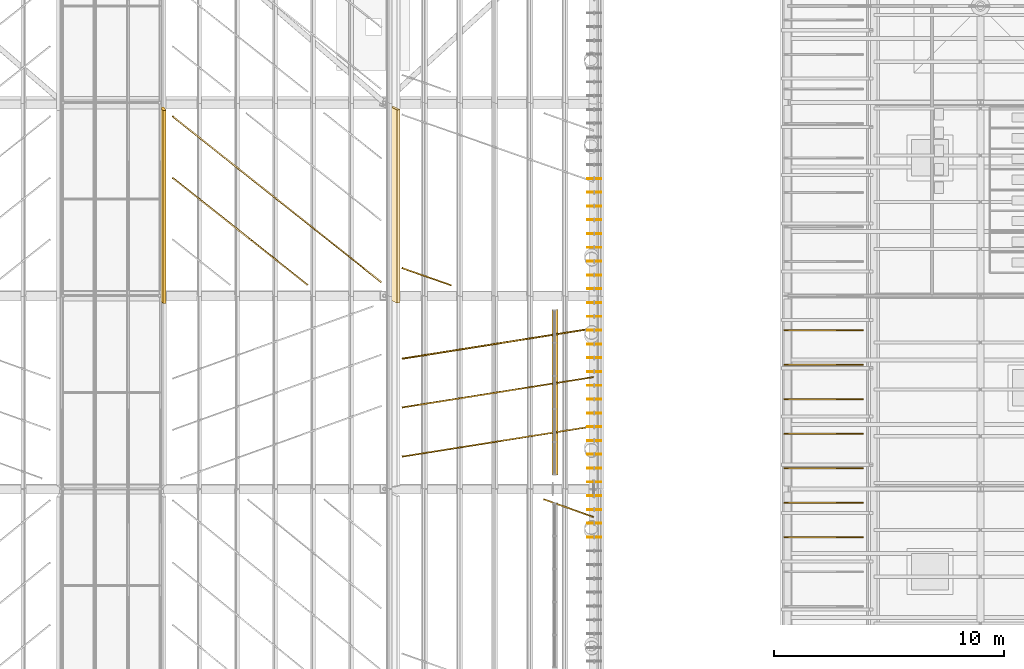
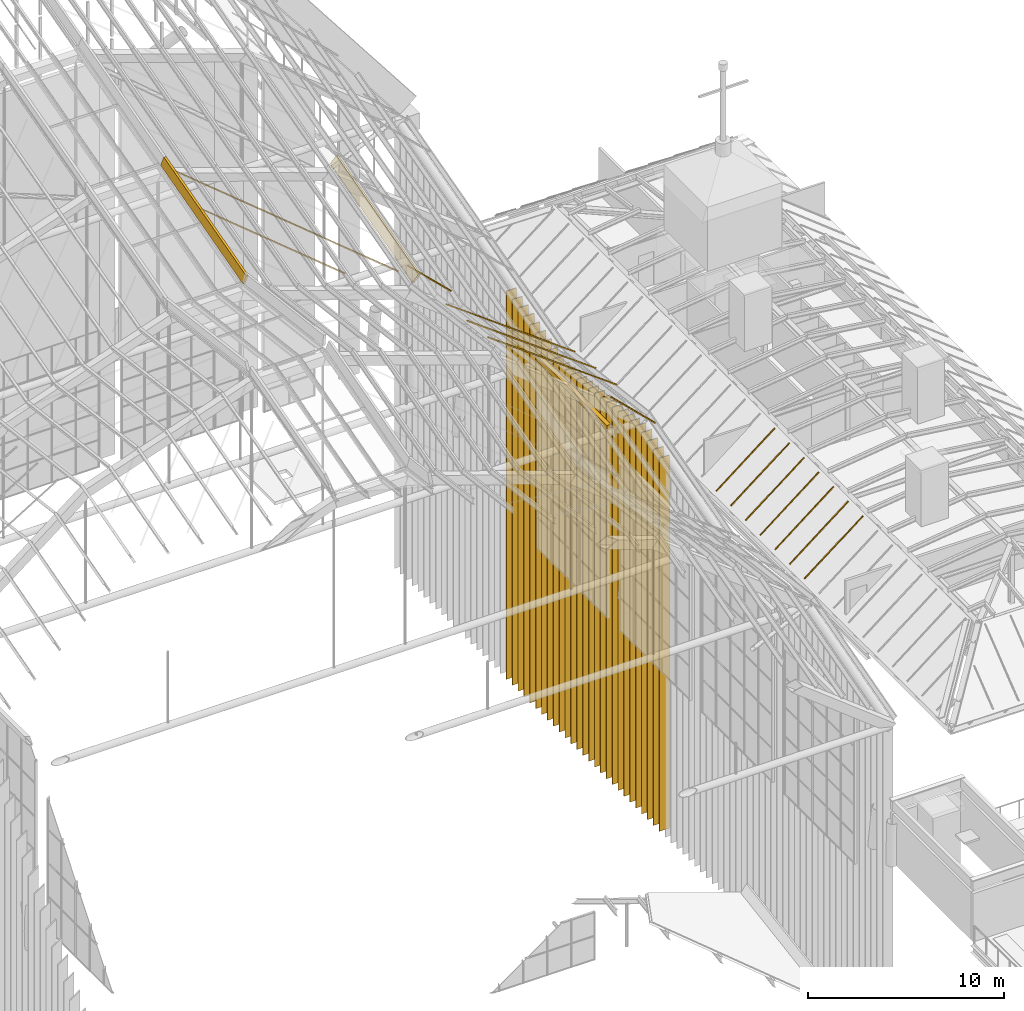
# One storey, part 107 of 126: 27 shading devices, 17 coverings.
"""IFC4 building model written with IfcOpenShell, lengths in metres."""

import ifcopenshell
import ifcopenshell.guid

model = None  # the IFC model being written
_history = None  # IfcOwnerHistory: only IFC2X3 demands one
_inside = {}  # id of a spatial element -> (the spatial element, [elements in it])
_under = {}  # id of a project, library or spatial element -> (it, [spatial elements below it])
_declared = {}  # id of a project -> (the project, [libraries it declares])
_typed = {}  # id of a type object -> (the type object, [elements of that type])
_made_of = {}  # id of a material, layer set ... -> (it, [elements and type objects made of it])


def new_model(schema):
    """Start an empty IFC model of exactly this schema.

    Asked for "IFC4X3", IfcOpenShell would pick the latest addendum, in which some entities
    have other attributes; the version numbers below select the first issue.
    IFC2X3 requires an IfcOwnerHistory on every rooted entity: one is made here for all.
    """
    global model, _history
    if schema == "IFC4X3":
        model = ifcopenshell.file(schema_version=(4, 3, 0, 0))
    else:
        model = ifcopenshell.file(schema=schema)
    _inside.clear()
    _under.clear()
    _declared.clear()
    _typed.clear()
    _made_of.clear()
    _history = None
    if model.schema == "IFC2X3":
        org = make("IfcOrganization", Name="unknown")
        user = make(
            "IfcPersonAndOrganization",
            ThePerson=make("IfcPerson", FamilyName="unknown"),
            TheOrganization=org,
        )
        app = make(
            "IfcApplication",
            ApplicationDeveloper=org,
            Version="unknown",
            ApplicationFullName="unknown",
            ApplicationIdentifier="unknown",
        )
        _history = make(
            "IfcOwnerHistory",
            OwningUser=user,
            OwningApplication=app,
            ChangeAction="ADDED",
            CreationDate=0,
        )
    return model


def make(cls, **values):
    """One entity of the class cls with the attributes given. An attribute that is None is left unset."""
    return model.create_entity(
        cls, **{name: value for name, value in values.items() if value is not None}
    )


def rooted(cls, **values):
    """An entity with a GlobalId (a new one), such as an element, a storey or a relation."""
    return make(cls, GlobalId=ifcopenshell.guid.new(), OwnerHistory=_history, **values)


def si_unit(unit_type, name, prefix=None):
    """IfcSIUnit, for example si_unit("LENGTHUNIT", "METRE", prefix="MILLI")."""
    return make("IfcSIUnit", UnitType=unit_type, Prefix=prefix, Name=name)


def assignment(units):
    """IfcUnitAssignment: the units of a project."""
    return None if units is None else make("IfcUnitAssignment", Units=units)


def point(xyz):
    """IfcCartesianPoint."""
    return None if xyz is None else make("IfcCartesianPoint", Coordinates=xyz)


def direction(xyz):
    """IfcDirection."""
    return None if xyz is None else make("IfcDirection", DirectionRatios=xyz)


def frame(location, z_axis=None, x_axis=None):
    """IfcAxis2Placement3D, a coordinate frame: its origin and axes. An axis left out is left unset."""
    return make(
        "IfcAxis2Placement3D",
        Location=point(location),
        Axis=direction(z_axis),
        RefDirection=direction(x_axis),
    )


def frame_2d(location, x_axis=None):
    """IfcAxis2Placement2D, a coordinate frame in the plane: its origin and x axis."""
    return make(
        "IfcAxis2Placement2D", Location=point(location), RefDirection=direction(x_axis)
    )


def origin():
    """The frame at (0, 0, 0) with its axes left unset."""
    return frame((0.0, 0.0, 0.0))


def origin_2d():
    """The frame at (0, 0) in the plane with its x axis left unset."""
    return frame_2d((0.0, 0.0))


def place(relative_to, where):
    """IfcLocalPlacement: puts the frame where relative to a parent placement (None: the world)."""
    return make(
        "IfcLocalPlacement", PlacementRelTo=relative_to, RelativePlacement=where
    )


def context(
    kind, dimensions, precision=None, world=None, true_north=None, identifier=None
):
    """IfcGeometricRepresentationContext, for example the 3D "Model" context."""
    return make(
        "IfcGeometricRepresentationContext",
        ContextIdentifier=identifier,
        ContextType=kind,
        CoordinateSpaceDimension=dimensions,
        Precision=precision,
        WorldCoordinateSystem=world,
        TrueNorth=true_north,
    )


def subcontext(parent, identifier, kind, view, scale=None):
    """IfcGeometricRepresentationSubContext, for example "Body" below "Model"."""
    return make(
        "IfcGeometricRepresentationSubContext",
        ContextIdentifier=identifier,
        ContextType=kind,
        ParentContext=parent,
        TargetScale=scale,
        TargetView=view,
    )


def project(units=None, contexts=None):
    """IfcProject with its units and contexts."""
    return rooted(
        "IfcProject",
        Name="project",
        RepresentationContexts=contexts,
        UnitsInContext=assignment(units),
    )


def spatial(cls, under=None, at=None, **own):
    """A site, building, storey or space (cls), placed at a placement, below another one or the project."""
    s = rooted(cls, ObjectPlacement=at, **own)
    if under is not None:
        _under.setdefault(under.id(), (under, []))[1].append(s)
    return s


def polyline(points):
    """IfcPolyline through the points."""
    return make("IfcPolyline", Points=[point(p) for p in points])


def profile(cls, at=None, kind="AREA", **sizes):
    """A parametric profile (cls). Its sizes go by their IFC names, for example OverallWidth=200.0."""
    return make(cls, ProfileType=kind, Position=at, **sizes)


def rectangle(**sizes):
    """IfcRectangleProfileDef."""
    return profile("IfcRectangleProfileDef", **sizes)


def outline(outer, holes=None, kind="AREA"):
    """IfcArbitraryClosedProfileDef: a profile drawn as a closed curve; with holes, ...WithVoids."""
    if holes is None:
        return make("IfcArbitraryClosedProfileDef", ProfileType=kind, OuterCurve=outer)
    return make(
        "IfcArbitraryProfileDefWithVoids",
        ProfileType=kind,
        OuterCurve=outer,
        InnerCurves=holes,
    )


def extrude(swept, where, along, depth):
    """IfcExtrudedAreaSolid: the profile swept, set in the frame where, extruded along a direction by depth."""
    return make(
        "IfcExtrudedAreaSolid",
        SweptArea=swept,
        Position=where,
        ExtrudedDirection=direction(along),
        Depth=depth,
    )


def shape(context_of_items, identifier, shape_type, items):
    """IfcShapeRepresentation: the items that make up one representation, for example the "Body"."""
    return make(
        "IfcShapeRepresentation",
        ContextOfItems=context_of_items,
        RepresentationIdentifier=identifier,
        RepresentationType=shape_type,
        Items=items,
    )


def material(Name=None, Category=None):
    """IfcMaterial."""
    return make("IfcMaterial", Name=Name, Category=Category)


def layer(
    of_material, thickness, ventilated=None, Name=None, Category=None, Priority=None
):
    """IfcMaterialLayer: one layer of a wall or slab, of a material (None: an air gap)."""
    return make(
        "IfcMaterialLayer",
        Material=of_material,
        LayerThickness=thickness,
        IsVentilated=ventilated,
        Name=Name,
        Category=Category,
        Priority=Priority,
    )


def layer_set(layers, Name=None):
    """IfcMaterialLayerSet."""
    return make("IfcMaterialLayerSet", MaterialLayers=layers, LayerSetName=Name)


def material_profile(
    of_material, cross_section, Name=None, Category=None, Priority=None
):
    """IfcMaterialProfile: a cross section and its material."""
    return make(
        "IfcMaterialProfile",
        Name=Name,
        Material=of_material,
        Profile=cross_section,
        Priority=Priority,
        Category=Category,
    )


def profile_set(profiles, Name=None, composite=None):
    """IfcMaterialProfileSet."""
    return make(
        "IfcMaterialProfileSet",
        Name=Name,
        MaterialProfiles=profiles,
        CompositeProfile=composite,
    )


def made_of(thing, what):
    """Note that an element or type object is made of a material, layer set ...; save() writes the relation."""
    if what is not None:
        _made_of.setdefault(what.id(), (what, []))[1].append(thing)
    return thing


def type_object(cls, material=None, **own):
    """A type object (cls), such as IfcWallType, which elements share."""
    return made_of(rooted(cls, **own), material)


def element(
    cls,
    number,
    at=None,
    inside=None,
    cuts=None,
    type_object=None,
    material=None,
    context=None,
    identifier="Body",
    shape_type=None,
    held_by="IfcProductDefinitionShape",
    body=None,
    shapes=None,
    **own,
):
    """One element of the class cls, such as IfcWall. Its Tag is "e" and its number.

    at: its placement. inside: the storey or other place that contains it. cuts: it is an
    opening in that element (IfcRelVoidsElement). A single representation is given by context,
    identifier, shape_type and body (its items); several are given by shapes. held_by: the class
    of the entity that holds the representations. save() writes the other relations.
    """
    e = rooted(cls, Tag="e%d" % number, ObjectPlacement=at, **own)
    if body is not None:
        shapes = [shape(context, identifier, shape_type, body)]
    if shapes is not None:
        e.Representation = make(held_by, Representations=shapes)
    if inside is not None:
        _inside.setdefault(inside.id(), (inside, []))[1].append(e)
    if cuts is not None:
        rooted(
            "IfcRelVoidsElement", RelatingBuildingElement=cuts, RelatedOpeningElement=e
        )
    if type_object is not None:
        _typed.setdefault(type_object.id(), (type_object, []))[1].append(e)
    return made_of(e, material)


def aggregate(whole, parts):
    """IfcRelAggregates: a whole, such as a stair, and the parts it consists of."""
    return rooted("IfcRelAggregates", RelatingObject=whole, RelatedObjects=parts)


def save(model, path):
    """Write the relations noted so far, then the file.

    IfcRelAggregates (storeys below a building ...), IfcRelContainedInSpatialStructure (elements
    in a storey), IfcRelDefinesByType, IfcRelAssociatesMaterial and IfcRelDeclares: one each for
    every whole, place, type object, material and project.
    """
    for whole, parts in _under.values():
        aggregate(whole, parts)
    for where, things in _inside.values():
        rooted(
            "IfcRelContainedInSpatialStructure",
            RelatedElements=things,
            RelatingStructure=where,
        )
    for kind, things in _typed.values():
        rooted("IfcRelDefinesByType", RelatedObjects=things, RelatingType=kind)
    for what, things in _made_of.values():
        rooted("IfcRelAssociatesMaterial", RelatedObjects=things, RelatingMaterial=what)
    for by, libraries in _declared.values():
        rooted("IfcRelDeclares", RelatingContext=by, RelatedDefinitions=libraries)
    model.write(path)


model = new_model("IFC4")

# Units and contexts
model_context = context("Model", 3, precision=1e-05, world=origin(), true_north=direction((0.0, 1.0)))
body_context = subcontext(model_context, "Body", "Model", "MODEL_VIEW")
ifc_project = project(units=[si_unit("LENGTHUNIT", "METRE"), si_unit("AREAUNIT", "SQUARE_METRE"), si_unit("VOLUMEUNIT", "CUBIC_METRE"), si_unit("PLANEANGLEUNIT", "RADIAN"), si_unit("MASSUNIT", "GRAM", prefix="KILO")], contexts=[model_context])

# Site, building, storey
site_placement = place(None, origin())
site = spatial("IfcSite", under=ifc_project, at=site_placement, CompositionType="ELEMENT")
building_placement = place(site_placement, origin())
building = spatial("IfcBuilding", under=site, at=building_placement, Name="Sava Quay Ferry Terminal", CompositionType="ELEMENT")
storey_placement = place(building_placement, frame((0.0, 0.0, 15.0)))
storey = spatial("IfcBuildingStorey", under=building, at=storey_placement, Name="L03", CompositionType="ELEMENT", Elevation=15.0)

# Coverings
ifc_material_1 = material(Name="Copper patinated")
ifc_layer_1 = layer(ifc_material_1, 0.25)
ifc_layer_set_1 = layer_set([ifc_layer_1], Name="Copper patinated")
covering_type_1 = type_object("IfcCoveringType", Name="Copper spandrel panel 250", PredefinedType="CLADDING", material=ifc_layer_set_1)
covering_1_placement = place(storey_placement, frame((82.300048828125, 76.199951171875, 11.75), z_axis=(0.0, 0.0, 1.0), x_axis=(0.0, 1.0, 0.0)))
element("IfcCovering", 1, at=covering_1_placement, inside=storey, type_object=covering_type_1, Name="Spandrel panel D-E", PredefinedType="CLADDING", context=body_context, shape_type="SweptSolid", body=[
    extrude(outline(polyline([(0.0, 0.0), (7.199951171875, 0.0), (7.199951171875, 0.302734375), (0.0, 0.302734375), (0.0, 0.0)])), frame((0.0, 0.125, 0.0), z_axis=(0.0, -1.0, 0.0), x_axis=(1.0, 0.0, 0.0)), (0.0, 0.0, 1.0), 0.25),
])
ifc_material_2 = material(Name="Steel S355", Category="steel")
ifc_material_profile_1 = material_profile(ifc_material_2, rectangle(XDim=0.14990234375, YDim=0.60009765625, at=origin_2d()), Name="Cap 150 x 600")
ifc_profile_set_1 = profile_set([ifc_material_profile_1], Name="Steel S355")
covering_type_2 = type_object("IfcCoveringType", Name="Crease capping 150x600", PredefinedType="MOLDING", material=ifc_profile_set_1)
covering_2_placement = place(storey_placement, frame((65.262451171875, 83.735107421875, 22.49462890625), z_axis=(0.0, 0.964553254836, 0.263888269132), x_axis=(-0.987174546341, -0.042128351011, 0.153985769138)))
element("IfcCovering", 2, at=covering_2_placement, inside=storey, type_object=covering_type_2, Name="Departure hall crease capping bay 5 crease 3", PredefinedType="MOLDING", context=body_context, shape_type="SweptSolid", body=[
    extrude(rectangle(XDim=0.14990234375, YDim=0.60009765625, at=origin_2d()), origin(), (0.0, 0.0, 1.0), 8.70849609375),
])
covering_3_placement = place(storey_placement, frame((75.3427734375, 83.76220703125, 19.031005859375), z_axis=(0.0, 0.964555206992, 0.26388113359), x_axis=(-0.885499005285, -0.122610065566, 0.448172158284)))
element("IfcCovering", 3, at=covering_3_placement, inside=storey, type_object=covering_type_2, Name="Departure hall crease capping bay 5 crease 4", PredefinedType="MOLDING", context=body_context, shape_type="SweptSolid", body=[
    extrude(rectangle(XDim=0.14990234375, YDim=0.60009765625, at=origin_2d()), origin(), (0.0, 0.0, 1.0), 8.708740234375),
])
ifc_material_3 = material(Name="Zinc standing seam")
ifc_layer_2 = layer(ifc_material_3, 0.0400390625)
ifc_layer_set_2 = layer_set([ifc_layer_2], Name="Zinc standing seam")
covering_type_3 = type_object("IfcCoveringType", Name="Roof seam rib 60", PredefinedType="ROOFING", material=ifc_layer_set_2)
for number, where, z_axis, x_axis, name in (
    (4, (92.246337890625, 73.530029296875, 0.635986328125), (-0.6177895076, 0.0, 0.786343515456), (0.786343515456, 0.0, 0.6177895076), "Roof seam rib"),
    (5, (92.246337890625, 75.030029296875, 0.635986328125), (-0.6177895076, 0.0, 0.786343515456), (0.786343515456, 0.0, 0.6177895076), "Roof seam rib"),
    (6, (92.246337890625, 76.530029296875, 0.635986328125), (-0.6177895076, 0.0, 0.786343515456), (0.786343515456, 0.0, 0.6177895076), "Roof seam rib"),
    (7, (92.246337890625, 78.030029296875, 0.635986328125), (-0.6177895076, 0.0, 0.786343515456), (0.786343515456, 0.0, 0.6177895076), "Roof seam rib"),
    (8, (92.246337890625, 79.530029296875, 0.635986328125), (-0.6177895076, 0.0, 0.786343515456), (0.786343515456, 0.0, 0.6177895076), "Roof seam rib"),
    (9, (92.246337890625, 81.030029296875, 0.635986328125), (-0.6177895076, 0.0, 0.786343515456), (0.786343515456, 0.0, 0.6177895076), "Roof seam rib"),
    (10, (92.246337890625, 82.530029296875, 0.635986328125), (-0.6177895076, 0.0, 0.786343515456), (0.786343515456, 0.0, 0.6177895076), "Roof seam rib"),
):
    element("IfcCovering", number, at=place(storey_placement, frame(where, z_axis=z_axis, x_axis=x_axis)), inside=storey, type_object=covering_type_3, Name=name, PredefinedType="ROOFING", context=body_context, shape_type="SweptSolid", body=[
        extrude(outline(polyline([(0.0, 0.0), (4.374293420136924, 0.0), (4.374293420136924, -0.06005859375), (0.0, -0.06005859375), (0.0, 0.0)])), origin(), (0.0, 0.0, -1.0), 0.0400390625),
    ])
covering_4_placement = place(storey_placement, frame((83.958740234375, 74.3427734375, 12.72509765625), z_axis=(0.60113236674, -0.215991283288, 0.769407332433), x_axis=(-0.724124379374, 0.26006063106, 0.638758445242)))
element("IfcCovering", 11, at=covering_4_placement, inside=storey, type_object=covering_type_3, Name="Roof seam rib", PredefinedType="ROOFING", context=body_context, shape_type="SweptSolid", body=[
    extrude(outline(polyline([(0.0, 0.0), (2.9571679712332175, -8.649222831003112e-17), (2.9571610577290284, -0.059926453256644224), (-6.913504189427072e-06, -0.059926453256644044), (0.0, 0.0)])), origin(), (0.0, 0.0, -1.0), 0.0400390625),
])
covering_5_placement = place(storey_placement, frame((83.98193359375, 82.55615234375, 12.1787109375), z_axis=(0.612740013981, 0.097280373354, 0.78427431695), x_axis=(-0.774575165563, -0.122961445897, 0.620414213019)))
element("IfcCovering", 12, at=covering_5_placement, inside=storey, type_object=covering_type_3, Name="Roof seam rib", PredefinedType="ROOFING", context=body_context, shape_type="SweptSolid", body=[
    extrude(outline(polyline([(0.0, 0.0), (10.725650837335074, 2.445960101127298e-16), (10.725572025417193, -0.059805897310758006), (8.027346289935476e-05, -0.06008529712831821), (0.0, 0.0)])), origin(), (0.0, 0.0, -1.0), 0.0400390625),
])
covering_6_placement = place(storey_placement, frame((83.98193359375, 80.429931640625, 12.4423828125), z_axis=(0.612770145315, 0.097084981871, 0.784274987046), x_axis=(-0.774572318597, -0.122983757584, 0.620413344983)))
element("IfcCovering", 13, at=covering_6_placement, inside=storey, type_object=covering_type_3, Name="Roof seam rib", PredefinedType="ROOFING", context=body_context, shape_type="SweptSolid", body=[
    extrude(outline(polyline([(0.0, 0.0), (10.725680860018976, -1.194790794079026e-16), (10.725570678137547, -0.060047031909617694), (7.892268854086965e-05, -0.06008528530396266), (0.0, 0.0)])), origin(), (0.0, 0.0, -1.0), 0.0400390625),
])
covering_7_placement = place(storey_placement, frame((83.98193359375, 78.3037109375, 12.7060546875), z_axis=(0.612708018485, 0.097476275668, 0.78427498989), x_axis=(-0.774572319464, -0.122983754925, 0.620413344429)))
element("IfcCovering", 14, at=covering_7_placement, inside=storey, type_object=covering_type_3, Name="Roof seam rib", PredefinedType="ROOFING", context=body_context, shape_type="SweptSolid", body=[
    extrude(outline(polyline([(0.0, 0.0), (10.725680860019029, 1.2923689896027213e-16), (10.725600703634235, -0.059805881856001976), (0.00010894818538894225, -0.059844194518438414), (0.0, 0.0)])), origin(), (0.0, 0.0, -1.0), 0.0400390625),
])
covering_8_placement = place(storey_placement, frame((74.726318359375, 84.5732421875, 19.187744140625), z_axis=(0.315555588115, -0.249985595779, 0.915386187744), x_axis=(-0.716723503035, 0.569420368719, 0.402576531712)))
element("IfcCovering", 15, at=covering_8_placement, inside=storey, type_object=covering_type_3, Name="Roof seam rib", PredefinedType="ROOFING", context=body_context, shape_type="SweptSolid", body=[
    extrude(outline(polyline([(0.0, 0.0), (12.655924100562697, -4.948298715223842e-16), (12.65598255642172, -0.06012898686683293), (9.441853829839433e-05, -0.0597859712555031), (0.0, 0.0)])), origin(), (0.0, 0.0, -1.0), 0.0400390625),
])
covering_9_placement = place(storey_placement, frame((71.5224609375, 84.4365234375, 20.253662109375), z_axis=(0.315135144881, -0.250471050217, 0.915398325028), x_axis=(-0.716734025922, 0.5694264089, 0.402549252804)))
element("IfcCovering", 16, at=covering_9_placement, inside=storey, type_object=covering_type_3, Name="Roof seam rib", PredefinedType="ROOFING", context=body_context, shape_type="SweptSolid", body=[
    extrude(outline(polyline([(0.0, 0.0), (8.185676670103314, -1.6132928326584306e-16), (8.185735017503617, -0.06012897973133285), (-8.067271905740428e-05, -0.059937828719632824), (0.0, 0.0)])), origin(), (0.0, 0.0, -1.0), 0.0400390625),
])
covering_10_placement = place(storey_placement, frame((77.778076171875, 84.431640625, 16.981689453125), z_axis=(0.602037155286, -0.210194006802, 0.770304967633), x_axis=(-0.727018544127, 0.254585912604, 0.637675504939)))
element("IfcCovering", 17, at=covering_10_placement, inside=storey, type_object=covering_type_3, Name="Roof seam rib", PredefinedType="ROOFING", context=body_context, shape_type="SweptSolid", body=[
    extrude(outline(polyline([(0.0, 0.0), (2.9239039898587773, -1.919037845299343e-17), (2.9239468193631346, -0.05999353832201872), (4.2829504356996576e-05, -0.05999353832201865), (0.0, 0.0)])), origin(), (0.0, 0.0, -1.0), 0.0400390625),
])

# Shading devices
ifc_material_4 = material(Name="Aluminium bronze anodised", Category="aluminium")
ifc_material_profile_2 = material_profile(ifc_material_4, rectangle(XDim=0.0400390625, YDim=0.60009765625, at=origin_2d()), Name="Vertical brise-soleil blade 40x600")
ifc_profile_set_2 = profile_set([ifc_material_profile_2], Name="Aluminium bronze anodised")
shading_device_type = type_object("IfcShadingDeviceType", Name="Vertical brise-soleil blade 40x600", PredefinedType="USERDEFINED", material=ifc_profile_set_2)
shading_device_1_placement = place(storey_placement, frame((84.0, 73.5, -12.10009765625), z_axis=(0.0, 0.0, 1.0), x_axis=(0.0, 1.0, 0.0)))
element("IfcShadingDevice", 18, at=shading_device_1_placement, inside=storey, type_object=shading_device_type, Name="Brise-soleil blade D-E 39", ObjectType="BRISE-SOLEIL BLADE", PredefinedType="USERDEFINED", context=body_context, shape_type="SweptSolid", body=[
    extrude(rectangle(XDim=0.0400390625, YDim=0.60009765625, at=origin_2d()), origin(), (0.0, 0.0, 1.0), 23.2333984375),
])
shading_device_2_placement = place(storey_placement, frame((84.0, 74.10009765625, -12.10009765625), z_axis=(0.0, 0.0, 1.0), x_axis=(0.0, 1.0, 0.0)))
element("IfcShadingDevice", 19, at=shading_device_2_placement, inside=storey, type_object=shading_device_type, Name="Brise-soleil blade D-E 40", ObjectType="BRISE-SOLEIL BLADE", PredefinedType="USERDEFINED", context=body_context, shape_type="SweptSolid", body=[
    extrude(rectangle(XDim=0.0400390625, YDim=0.60009765625, at=origin_2d()), origin(), (0.0, 0.0, 1.0), 23.401611328125),
])
shading_device_3_placement = place(storey_placement, frame((84.0, 74.699951171875, -12.10009765625), z_axis=(0.0, 0.0, 1.0), x_axis=(0.0, 1.0, 0.0)))
element("IfcShadingDevice", 20, at=shading_device_3_placement, inside=storey, type_object=shading_device_type, Name="Brise-soleil blade D-E 41", ObjectType="BRISE-SOLEIL BLADE", PredefinedType="USERDEFINED", context=body_context, shape_type="SweptSolid", body=[
    extrude(rectangle(XDim=0.0400390625, YDim=0.60009765625, at=origin_2d()), origin(), (0.0, 0.0, 1.0), 23.570068359375),
])
shading_device_4_placement = place(storey_placement, frame((84.0, 75.300048828125, -12.10009765625), z_axis=(0.0, 0.0, 1.0), x_axis=(0.0, 1.0, 0.0)))
element("IfcShadingDevice", 21, at=shading_device_4_placement, inside=storey, type_object=shading_device_type, Name="Brise-soleil blade D-E 42", ObjectType="BRISE-SOLEIL BLADE", PredefinedType="USERDEFINED", context=body_context, shape_type="SweptSolid", body=[
    extrude(rectangle(XDim=0.0400390625, YDim=0.60009765625, at=origin_2d()), origin(), (0.0, 0.0, 1.0), 23.738525390625),
])
shading_device_5_placement = place(storey_placement, frame((84.0, 75.89990234375, -12.10009765625), z_axis=(0.0, 0.0, 1.0), x_axis=(0.0, 1.0, 0.0)))
element("IfcShadingDevice", 22, at=shading_device_5_placement, inside=storey, type_object=shading_device_type, Name="Brise-soleil blade D-E 43", ObjectType="BRISE-SOLEIL BLADE", PredefinedType="USERDEFINED", context=body_context, shape_type="SweptSolid", body=[
    extrude(rectangle(XDim=0.0400390625, YDim=0.60009765625, at=origin_2d()), origin(), (0.0, 0.0, 1.0), 23.785400390625),
])
shading_device_6_placement = place(storey_placement, frame((84.0, 76.5, -12.10009765625), z_axis=(0.0, 0.0, 1.0), x_axis=(0.0, 1.0, 0.0)))
element("IfcShadingDevice", 23, at=shading_device_6_placement, inside=storey, type_object=shading_device_type, Name="Brise-soleil blade D-E 44", ObjectType="BRISE-SOLEIL BLADE", PredefinedType="USERDEFINED", context=body_context, shape_type="SweptSolid", body=[
    extrude(rectangle(XDim=0.0400390625, YDim=0.60009765625, at=origin_2d()), origin(), (0.0, 0.0, 1.0), 23.7109375),
])
shading_device_7_placement = place(storey_placement, frame((84.0, 77.10009765625, -12.10009765625), z_axis=(0.0, 0.0, 1.0), x_axis=(0.0, 1.0, 0.0)))
element("IfcShadingDevice", 24, at=shading_device_7_placement, inside=storey, type_object=shading_device_type, Name="Brise-soleil blade D-E 45", ObjectType="BRISE-SOLEIL BLADE", PredefinedType="USERDEFINED", context=body_context, shape_type="SweptSolid", body=[
    extrude(rectangle(XDim=0.0400390625, YDim=0.60009765625, at=origin_2d()), origin(), (0.0, 0.0, 1.0), 23.636474609375),
])
shading_device_8_placement = place(storey_placement, frame((84.0, 77.699951171875, -12.10009765625), z_axis=(0.0, 0.0, 1.0), x_axis=(0.0, 1.0, 0.0)))
element("IfcShadingDevice", 25, at=shading_device_8_placement, inside=storey, type_object=shading_device_type, Name="Brise-soleil blade D-E 46", ObjectType="BRISE-SOLEIL BLADE", PredefinedType="USERDEFINED", context=body_context, shape_type="SweptSolid", body=[
    extrude(rectangle(XDim=0.0400390625, YDim=0.60009765625, at=origin_2d()), origin(), (0.0, 0.0, 1.0), 23.56201171875),
])
shading_device_9_placement = place(storey_placement, frame((84.0, 78.300048828125, -12.10009765625), z_axis=(0.0, 0.0, 1.0), x_axis=(0.0, 1.0, 0.0)))
element("IfcShadingDevice", 26, at=shading_device_9_placement, inside=storey, type_object=shading_device_type, Name="Brise-soleil blade D-E 47", ObjectType="BRISE-SOLEIL BLADE", PredefinedType="USERDEFINED", context=body_context, shape_type="SweptSolid", body=[
    extrude(rectangle(XDim=0.0400390625, YDim=0.60009765625, at=origin_2d()), origin(), (0.0, 0.0, 1.0), 23.487548828125),
])
shading_device_10_placement = place(storey_placement, frame((84.0, 78.89990234375, -12.10009765625), z_axis=(0.0, 0.0, 1.0), x_axis=(0.0, 1.0, 0.0)))
element("IfcShadingDevice", 27, at=shading_device_10_placement, inside=storey, type_object=shading_device_type, Name="Brise-soleil blade D-E 48", ObjectType="BRISE-SOLEIL BLADE", PredefinedType="USERDEFINED", context=body_context, shape_type="SweptSolid", body=[
    extrude(rectangle(XDim=0.0400390625, YDim=0.60009765625, at=origin_2d()), origin(), (0.0, 0.0, 1.0), 23.413330078125),
])
shading_device_11_placement = place(storey_placement, frame((84.0, 79.5, -12.10009765625), z_axis=(0.0, 0.0, 1.0), x_axis=(0.0, 1.0, 0.0)))
element("IfcShadingDevice", 28, at=shading_device_11_placement, inside=storey, type_object=shading_device_type, Name="Brise-soleil blade D-E 49", ObjectType="BRISE-SOLEIL BLADE", PredefinedType="USERDEFINED", context=body_context, shape_type="SweptSolid", body=[
    extrude(rectangle(XDim=0.0400390625, YDim=0.60009765625, at=origin_2d()), origin(), (0.0, 0.0, 1.0), 23.3388671875),
])
shading_device_12_placement = place(storey_placement, frame((84.0, 80.10009765625, -12.10009765625), z_axis=(0.0, 0.0, 1.0), x_axis=(0.0, 1.0, 0.0)))
element("IfcShadingDevice", 29, at=shading_device_12_placement, inside=storey, type_object=shading_device_type, Name="Brise-soleil blade D-E 50", ObjectType="BRISE-SOLEIL BLADE", PredefinedType="USERDEFINED", context=body_context, shape_type="SweptSolid", body=[
    extrude(rectangle(XDim=0.0400390625, YDim=0.60009765625, at=origin_2d()), origin(), (0.0, 0.0, 1.0), 23.264404296875),
])
shading_device_13_placement = place(storey_placement, frame((84.0, 80.699951171875, -12.10009765625), z_axis=(0.0, 0.0, 1.0), x_axis=(0.0, 1.0, 0.0)))
element("IfcShadingDevice", 30, at=shading_device_13_placement, inside=storey, type_object=shading_device_type, Name="Brise-soleil blade D-E 51", ObjectType="BRISE-SOLEIL BLADE", PredefinedType="USERDEFINED", context=body_context, shape_type="SweptSolid", body=[
    extrude(rectangle(XDim=0.0400390625, YDim=0.60009765625, at=origin_2d()), origin(), (0.0, 0.0, 1.0), 23.18994140625),
])
shading_device_14_placement = place(storey_placement, frame((84.0, 81.300048828125, -12.10009765625), z_axis=(0.0, 0.0, 1.0), x_axis=(0.0, 1.0, 0.0)))
element("IfcShadingDevice", 31, at=shading_device_14_placement, inside=storey, type_object=shading_device_type, Name="Brise-soleil blade D-E 52", ObjectType="BRISE-SOLEIL BLADE", PredefinedType="USERDEFINED", context=body_context, shape_type="SweptSolid", body=[
    extrude(rectangle(XDim=0.0400390625, YDim=0.60009765625, at=origin_2d()), origin(), (0.0, 0.0, 1.0), 23.115478515625),
])
shading_device_15_placement = place(storey_placement, frame((84.0, 81.89990234375, -12.10009765625), z_axis=(0.0, 0.0, 1.0), x_axis=(0.0, 1.0, 0.0)))
element("IfcShadingDevice", 32, at=shading_device_15_placement, inside=storey, type_object=shading_device_type, Name="Brise-soleil blade D-E 53", ObjectType="BRISE-SOLEIL BLADE", PredefinedType="USERDEFINED", context=body_context, shape_type="SweptSolid", body=[
    extrude(rectangle(XDim=0.0400390625, YDim=0.60009765625, at=origin_2d()), origin(), (0.0, 0.0, 1.0), 23.041015625),
])
shading_device_16_placement = place(storey_placement, frame((84.0, 82.5, -12.10009765625), z_axis=(0.0, 0.0, 1.0), x_axis=(0.0, 1.0, 0.0)))
element("IfcShadingDevice", 33, at=shading_device_16_placement, inside=storey, type_object=shading_device_type, Name="Brise-soleil blade D-E 54", ObjectType="BRISE-SOLEIL BLADE", PredefinedType="USERDEFINED", context=body_context, shape_type="SweptSolid", body=[
    extrude(rectangle(XDim=0.0400390625, YDim=0.60009765625, at=origin_2d()), origin(), (0.0, 0.0, 1.0), 22.966552734375),
])
shading_device_17_placement = place(storey_placement, frame((84.0, 83.10009765625, -12.10009765625), z_axis=(0.0, 0.0, 1.0), x_axis=(0.0, 1.0, 0.0)))
element("IfcShadingDevice", 34, at=shading_device_17_placement, inside=storey, type_object=shading_device_type, Name="Brise-soleil blade D-E 55", ObjectType="BRISE-SOLEIL BLADE", PredefinedType="USERDEFINED", context=body_context, shape_type="SweptSolid", body=[
    extrude(rectangle(XDim=0.0400390625, YDim=0.60009765625, at=origin_2d()), origin(), (0.0, 0.0, 1.0), 22.892333984375),
])
shading_device_18_placement = place(storey_placement, frame((84.0, 83.699951171875, -12.10009765625), z_axis=(0.0, 0.0, 1.0), x_axis=(0.0, 1.0, 0.0)))
element("IfcShadingDevice", 35, at=shading_device_18_placement, inside=storey, type_object=shading_device_type, Name="Brise-soleil blade D-E 56", ObjectType="BRISE-SOLEIL BLADE", PredefinedType="USERDEFINED", context=body_context, shape_type="SweptSolid", body=[
    extrude(rectangle(XDim=0.0400390625, YDim=0.60009765625, at=origin_2d()), origin(), (0.0, 0.0, 1.0), 22.81787109375),
])
shading_device_19_placement = place(storey_placement, frame((84.0, 84.300048828125, -12.10009765625), z_axis=(0.0, 0.0, 1.0), x_axis=(0.0, 1.0, 0.0)))
element("IfcShadingDevice", 36, at=shading_device_19_placement, inside=storey, type_object=shading_device_type, Name="Brise-soleil blade D-E 57", ObjectType="BRISE-SOLEIL BLADE", PredefinedType="USERDEFINED", context=body_context, shape_type="SweptSolid", body=[
    extrude(rectangle(XDim=0.0400390625, YDim=0.60009765625, at=origin_2d()), origin(), (0.0, 0.0, 1.0), 22.862548828125),
])
shading_device_20_placement = place(storey_placement, frame((84.0, 84.89990234375, -12.10009765625), z_axis=(0.0, 0.0, 1.0), x_axis=(0.0, 1.0, 0.0)))
element("IfcShadingDevice", 37, at=shading_device_20_placement, inside=storey, type_object=shading_device_type, Name="Brise-soleil blade D-E 58", ObjectType="BRISE-SOLEIL BLADE", PredefinedType="USERDEFINED", context=body_context, shape_type="SweptSolid", body=[
    extrude(rectangle(XDim=0.0400390625, YDim=0.60009765625, at=origin_2d()), origin(), (0.0, 0.0, 1.0), 23.02685546875),
])
shading_device_21_placement = place(storey_placement, frame((84.0, 85.5, -12.10009765625), z_axis=(0.0, 0.0, 1.0), x_axis=(0.0, 1.0, 0.0)))
element("IfcShadingDevice", 38, at=shading_device_21_placement, inside=storey, type_object=shading_device_type, Name="Brise-soleil blade D-E 59", ObjectType="BRISE-SOLEIL BLADE", PredefinedType="USERDEFINED", context=body_context, shape_type="SweptSolid", body=[
    extrude(rectangle(XDim=0.0400390625, YDim=0.60009765625, at=origin_2d()), origin(), (0.0, 0.0, 1.0), 23.19091796875),
])
shading_device_22_placement = place(storey_placement, frame((84.0, 86.10009765625, -12.10009765625), z_axis=(0.0, 0.0, 1.0), x_axis=(0.0, 1.0, 0.0)))
element("IfcShadingDevice", 39, at=shading_device_22_placement, inside=storey, type_object=shading_device_type, Name="Brise-soleil blade D-E 60", ObjectType="BRISE-SOLEIL BLADE", PredefinedType="USERDEFINED", context=body_context, shape_type="SweptSolid", body=[
    extrude(rectangle(XDim=0.0400390625, YDim=0.60009765625, at=origin_2d()), origin(), (0.0, 0.0, 1.0), 23.35498046875),
])
shading_device_23_placement = place(storey_placement, frame((84.0, 86.699951171875, -12.10009765625), z_axis=(0.0, 0.0, 1.0), x_axis=(0.0, 1.0, 0.0)))
element("IfcShadingDevice", 40, at=shading_device_23_placement, inside=storey, type_object=shading_device_type, Name="Brise-soleil blade D-E 61", ObjectType="BRISE-SOLEIL BLADE", PredefinedType="USERDEFINED", context=body_context, shape_type="SweptSolid", body=[
    extrude(rectangle(XDim=0.0400390625, YDim=0.60009765625, at=origin_2d()), origin(), (0.0, 0.0, 1.0), 23.519287109375),
])
shading_device_24_placement = place(storey_placement, frame((84.0, 87.300048828125, -12.10009765625), z_axis=(0.0, 0.0, 1.0), x_axis=(0.0, 1.0, 0.0)))
element("IfcShadingDevice", 41, at=shading_device_24_placement, inside=storey, type_object=shading_device_type, Name="Brise-soleil blade D-E 62", ObjectType="BRISE-SOLEIL BLADE", PredefinedType="USERDEFINED", context=body_context, shape_type="SweptSolid", body=[
    extrude(rectangle(XDim=0.0400390625, YDim=0.60009765625, at=origin_2d()), origin(), (0.0, 0.0, 1.0), 23.683349609375),
])
shading_device_25_placement = place(storey_placement, frame((84.0, 87.89990234375, -12.10009765625), z_axis=(0.0, 0.0, 1.0), x_axis=(0.0, 1.0, 0.0)))
element("IfcShadingDevice", 42, at=shading_device_25_placement, inside=storey, type_object=shading_device_type, Name="Brise-soleil blade D-E 63", ObjectType="BRISE-SOLEIL BLADE", PredefinedType="USERDEFINED", context=body_context, shape_type="SweptSolid", body=[
    extrude(rectangle(XDim=0.0400390625, YDim=0.60009765625, at=origin_2d()), origin(), (0.0, 0.0, 1.0), 23.847412109375),
])
shading_device_26_placement = place(storey_placement, frame((84.0, 88.5, -12.10009765625), z_axis=(0.0, 0.0, 1.0), x_axis=(0.0, 1.0, 0.0)))
element("IfcShadingDevice", 43, at=shading_device_26_placement, inside=storey, type_object=shading_device_type, Name="Brise-soleil blade D-E 64", ObjectType="BRISE-SOLEIL BLADE", PredefinedType="USERDEFINED", context=body_context, shape_type="SweptSolid", body=[
    extrude(rectangle(XDim=0.0400390625, YDim=0.60009765625, at=origin_2d()), origin(), (0.0, 0.0, 1.0), 24.01171875),
])
shading_device_27_placement = place(storey_placement, frame((84.0, 89.10009765625, -12.10009765625), z_axis=(0.0, 0.0, 1.0), x_axis=(0.0, 1.0, 0.0)))
element("IfcShadingDevice", 44, at=shading_device_27_placement, inside=storey, type_object=shading_device_type, Name="Brise-soleil blade D-E 65", ObjectType="BRISE-SOLEIL BLADE", PredefinedType="USERDEFINED", context=body_context, shape_type="SweptSolid", body=[
    extrude(rectangle(XDim=0.0400390625, YDim=0.60009765625, at=origin_2d()), origin(), (0.0, 0.0, 1.0), 24.17578125),
])

save(model, "model.ifc")
